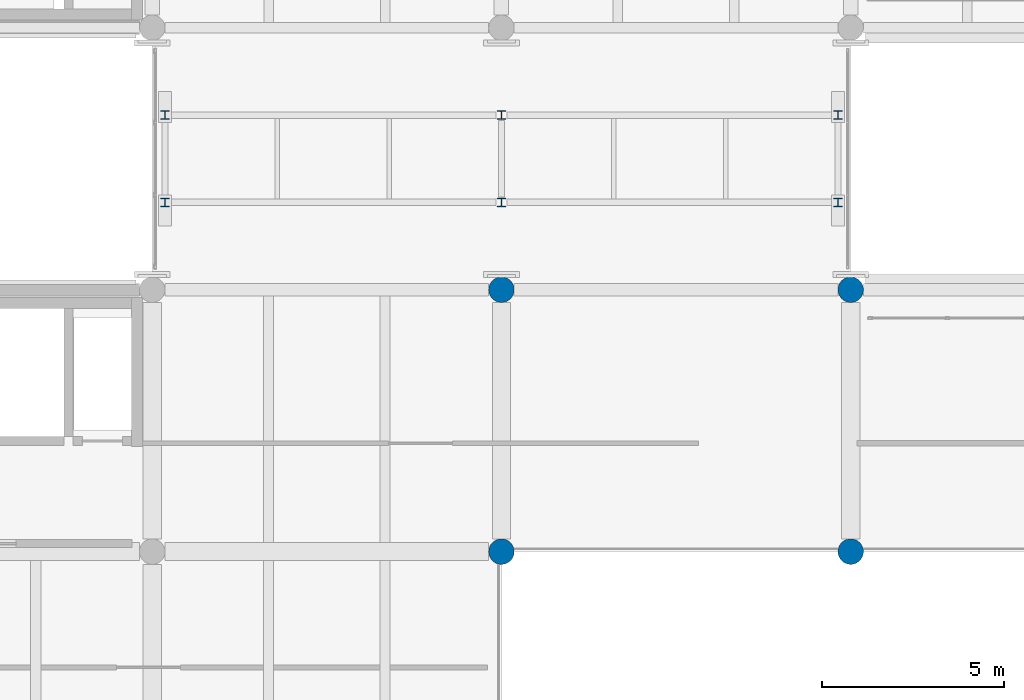
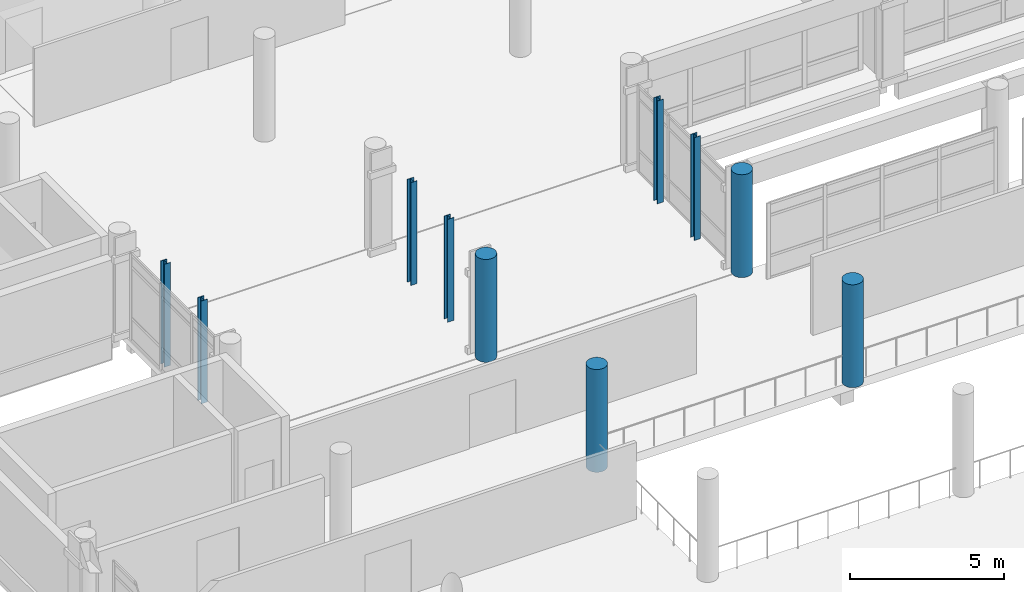
# One storey, part 2 of 180: 10 columns.
"""IFC4 building model written with IfcOpenShell, lengths in metres."""

from ifc_helpers import new_model, si_unit, direction, frame, origin, origin_2d, place, context, subcontext, project, spatial, circle, i_section, extrude, material, material_profile, profile_set, type_object, element, save


model = new_model("IFC4")

# Units and contexts
model_context = context("Model", 3, precision=1e-05, world=origin(), true_north=direction((0.0, 1.0)))
body_context = subcontext(model_context, "Body", "Model", "MODEL_VIEW")
ifc_project = project(units=[si_unit("LENGTHUNIT", "METRE"), si_unit("AREAUNIT", "SQUARE_METRE"), si_unit("VOLUMEUNIT", "CUBIC_METRE"), si_unit("PLANEANGLEUNIT", "RADIAN"), si_unit("MASSUNIT", "GRAM", prefix="KILO")], contexts=[model_context])

# Site, building, storey
site_placement = place(None, origin())
site = spatial("IfcSite", under=ifc_project, at=site_placement, CompositionType="ELEMENT")
building_placement = place(site_placement, origin())
building = spatial("IfcBuilding", under=site, at=building_placement, Name="Asteropetra Specialist Clinic", CompositionType="ELEMENT")
storey_placement = place(building_placement, frame((0.0, 0.0, 4.419921875)))
storey = spatial("IfcBuildingStorey", under=building, at=storey_placement, Name="L01", CompositionType="ELEMENT", Elevation=4.419921875)

# Columns
ifc_material_1 = material(Name="Concrete C35/45", Category="concrete")
ifc_material_profile_1 = material_profile(ifc_material_1, circle(Radius=0.35009765625, at=origin_2d()), Name="RCC D700")
ifc_profile_set_1 = profile_set([ifc_material_profile_1], Name="Concrete C35/45")
column_type_1 = type_object("IfcColumnType", Name="COL-DORIC700", PredefinedType="COLUMN", material=ifc_profile_set_1)
for number, where, z_axis, x_axis, name in (
    (1, (19.199951171875, 19.199951171875, 0.0), (0.0, 0.0, 1.0), (1.0, 0.0, 0.0), "Column CCOL13-0188"),
    (2, (19.199951171875, 26.39990234375, 0.0), (0.0, 0.0, 1.0), (1.0, 0.0, 0.0), "Column CCOL13-0191"),
    (3, (28.800048828125, 19.199951171875, 0.0), (0.0, 0.0, 1.0), (1.0, 0.0, 0.0), "Column CCOL13-0288"),
    (4, (28.800048828125, 26.39990234375, 0.0), (0.0, 0.0, 1.0), (1.0, 0.0, 0.0), "Column CCOL13-0291"),
):
    element("IfcColumn", number, at=place(storey_placement, frame(where, z_axis=z_axis, x_axis=x_axis)), inside=storey, type_object=column_type_1, Name=name, PredefinedType="COLUMN", context=body_context, shape_type="SweptSolid", body=[
        extrude(circle(Radius=0.35009765625, at=origin_2d()), origin(), (0.0, 0.0, 1.0), 4.080078125),
    ])
ifc_material_2 = material(Name="Steel S355", Category="steel")
ifc_material_profile_2 = material_profile(ifc_material_2, i_section(OverallWidth=0.239990234375, OverallDepth=0.239990234375, WebThickness=0.010009765625, FlangeThickness=0.01708984375, FilletRadius=0.02099609375, at=origin_2d()), Name="HEB 240")
ifc_profile_set_2 = profile_set([ifc_material_profile_2], Name="Steel S355")
column_type_2 = type_object("IfcColumnType", Name="COL-STL-HEB240", PredefinedType="COLUMN", material=ifc_profile_set_2)
for number, where, z_axis, x_axis, name in (
    (5, (9.949951171875, 28.800048828125, 0.0), (0.0, 0.0, 1.0), (1.0, 0.0, 0.0), "Column CCOLS2-0163"),
    (6, (9.949951171875, 31.199951171875, 0.0), (0.0, 0.0, 1.0), (1.0, 0.0, 0.0), "Column CCOLS2-0167"),
    (7, (19.199951171875, 28.800048828125, 0.0), (0.0, 0.0, 1.0), (1.0, 0.0, 0.0), "Column CCOLS2-0194"),
    (8, (19.199951171875, 31.199951171875, 0.0), (0.0, 0.0, 1.0), (1.0, 0.0, 0.0), "Column CCOLS2-0198"),
    (9, (28.449951171875, 28.800048828125, 0.0), (0.0, 0.0, 1.0), (1.0, 0.0, 0.0), "Column CCOLS2-0263"),
    (10, (28.449951171875, 31.199951171875, 0.0), (0.0, 0.0, 1.0), (1.0, 0.0, 0.0), "Column CCOLS2-0267"),
):
    element("IfcColumn", number, at=place(storey_placement, frame(where, z_axis=z_axis, x_axis=x_axis)), inside=storey, type_object=column_type_2, Name=name, PredefinedType="COLUMN", context=body_context, shape_type="SweptSolid", body=[
        extrude(i_section(OverallWidth=0.239990234375, OverallDepth=0.239990234375, WebThickness=0.010009765625, FlangeThickness=0.01708984375, FilletRadius=0.02099609375, at=origin_2d()), origin(), (0.0, 0.0, 1.0), 4.080078125),
    ])

save(model, "model.ifc")
